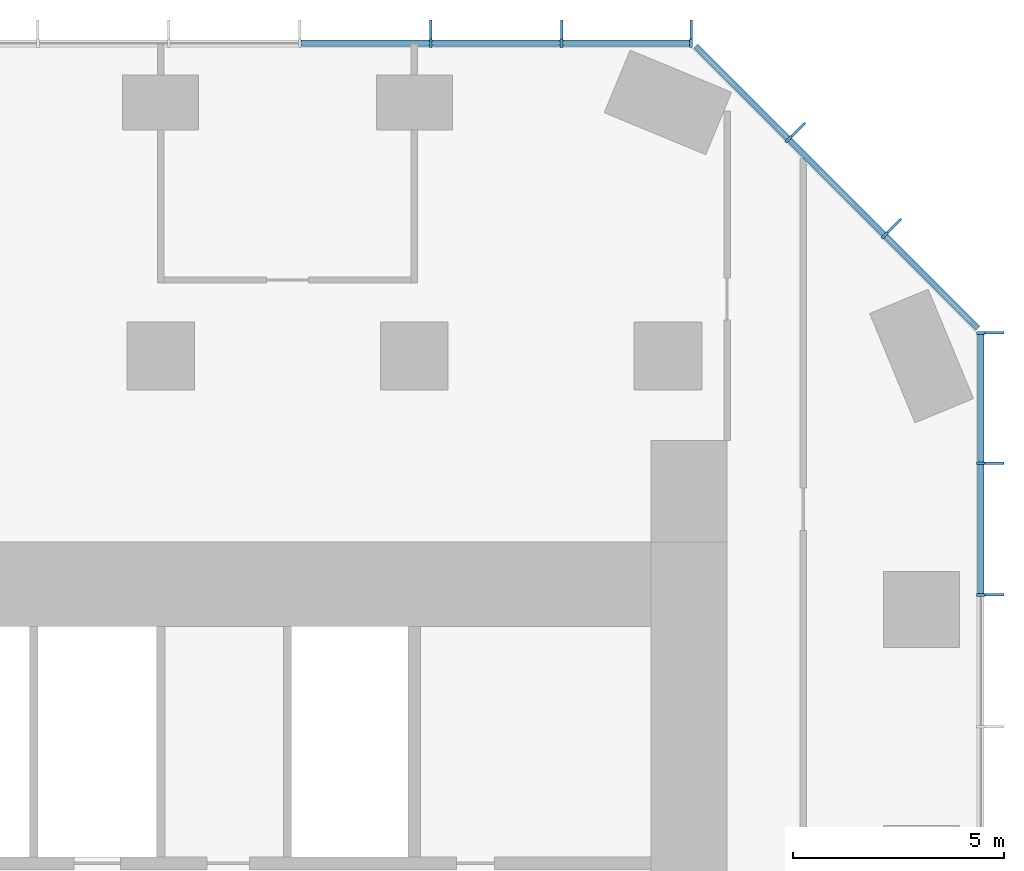
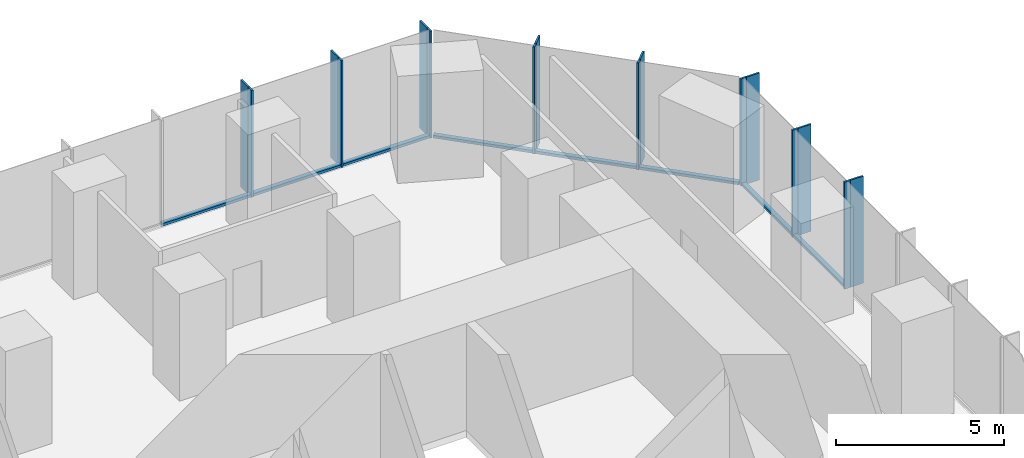
# One storey, part 6 of 11: 24 members, 3 elements without a shape of their own.
"""IFC4 building model written with IfcOpenShell, lengths in metres."""

from ifc_helpers import new_model, si_unit, direction, frame, origin, origin_2d, place, context, subcontext, project, spatial, rectangle, extrude, material, layer, layer_set, material_profile, profile_set, type_object, element, aggregate, save


model = new_model("IFC4")

# Units and contexts
model_context = context("Model", 3, precision=1e-05, world=origin(), true_north=direction((0.0, 1.0)))
body_context = subcontext(model_context, "Body", "Model", "MODEL_VIEW")
ifc_project = project(units=[si_unit("LENGTHUNIT", "METRE"), si_unit("AREAUNIT", "SQUARE_METRE"), si_unit("VOLUMEUNIT", "CUBIC_METRE"), si_unit("PLANEANGLEUNIT", "RADIAN"), si_unit("MASSUNIT", "GRAM", prefix="KILO")], contexts=[model_context])

# Site, building, storey
site_placement = place(None, origin())
site = spatial("IfcSite", under=ifc_project, at=site_placement, CompositionType="ELEMENT")
building_placement = place(site_placement, origin())
building = spatial("IfcBuilding", under=site, at=building_placement, Name="Highveld Stack Headquarters", CompositionType="ELEMENT")
storey_placement = place(building_placement, frame((0.0, 0.0, 125.0)))
storey = spatial("IfcBuildingStorey", under=building, at=storey_placement, Name="L30", CompositionType="ELEMENT", Elevation=125.0)

# Curtain wall, members
ifc_material_1 = material(Name="Aluminium bronze anodised", Category="aluminium")
ifc_layer_1 = layer(ifc_material_1, 0.199951171875)
ifc_layer_set_1 = layer_set([ifc_layer_1], Name="Aluminium bronze anodised")
curtain_wall_type_1 = type_object("IfcCurtainWallType", Name="CW1 TOWER UNITISED CURTAIN WALL", PredefinedType="NOTDEFINED", material=ifc_layer_set_1)
curtain_wall_1_placement = place(storey_placement, origin())
curtain_wall_1 = element("IfcCurtainWall", 1, at=curtain_wall_1_placement, inside=storey, type_object=curtain_wall_type_1, Name="Curtain wall CW1 L30 E", PredefinedType="NOTDEFINED")
ifc_material_2 = material(Name="Aluminium bronze anodised", Category="aluminium")
ifc_material_profile_1 = material_profile(ifc_material_2, rectangle(XDim=0.449951171875, YDim=0.06005859375, at=origin_2d()), Name="FIN 450x60")
ifc_profile_set_1 = profile_set([ifc_material_profile_1], Name="Aluminium bronze anodised")
member_type_1 = type_object("IfcMemberType", Name="CW1 BRONZE FIN 450x60", PredefinedType="USERDEFINED", material=ifc_profile_set_1)
member_1_placement = place(storey_placement, frame((25.72509765625, 12.347900390625, 0.0), z_axis=(0.0, 0.0, 1.0), x_axis=(-1.0, 0.0, 0.0)))
member_1 = element("IfcMember", 2, at=member_1_placement, type_object=member_type_1, Name="CW1 fin L30 9", ObjectType="FIN", PredefinedType="USERDEFINED", context=body_context, shape_type="SweptSolid", body=[
    extrude(rectangle(XDim=0.449951171875, YDim=0.06005859375, at=origin_2d()), origin(), (0.0, 0.0, 1.0), 3.89990234375),
])
member_2_placement = place(storey_placement, frame((25.72509765625, 15.4638671875, 0.0), z_axis=(0.0, 0.0, 1.0), x_axis=(-1.0, 0.0, 0.0)))
member_2 = element("IfcMember", 3, at=member_2_placement, type_object=member_type_1, Name="CW1 fin L30 10", ObjectType="FIN", PredefinedType="USERDEFINED", context=body_context, shape_type="SweptSolid", body=[
    extrude(rectangle(XDim=0.449951171875, YDim=0.06005859375, at=origin_2d()), origin(), (0.0, 0.0, 1.0), 3.89990234375),
])
member_3_placement = place(storey_placement, frame((25.72509765625, 18.54736328125, 0.0), z_axis=(0.0, 0.0, 1.0), x_axis=(-1.0, 0.0, 0.0)))
member_3 = element("IfcMember", 4, at=member_3_placement, type_object=member_type_1, Name="CW1 fin L30 11", ObjectType="FIN", PredefinedType="USERDEFINED", context=body_context, shape_type="SweptSolid", body=[
    extrude(rectangle(XDim=0.449951171875, YDim=0.06005859375, at=origin_2d()), origin(), (0.0, 0.0, 1.0), 3.89990234375),
])

curtain_wall_2_placement = place(storey_placement, origin())
curtain_wall_2 = element("IfcCurtainWall", 5, at=curtain_wall_2_placement, inside=storey, type_object=curtain_wall_type_1, Name="Curtain wall CW1 L30 N", PredefinedType="NOTDEFINED")
member_4_placement = place(storey_placement, frame((18.54736328125, 25.72509765625, 0.0), z_axis=(0.0, 0.0, 1.0), x_axis=(0.0, -1.0, 0.0)))
member_4 = element("IfcMember", 6, at=member_4_placement, type_object=member_type_1, Name="CW1 fin L30 1", ObjectType="FIN", PredefinedType="USERDEFINED", context=body_context, shape_type="SweptSolid", body=[
    extrude(rectangle(XDim=0.449951171875, YDim=0.06005859375, at=origin_2d()), origin(), (0.0, 0.0, 1.0), 3.89990234375),
])
member_5_placement = place(storey_placement, frame((15.483154296875, 25.72509765625, 0.0), z_axis=(0.0, 0.0, 1.0), x_axis=(0.0, -1.0, 0.0)))
member_5 = element("IfcMember", 7, at=member_5_placement, type_object=member_type_1, Name="CW1 fin L30 2", ObjectType="FIN", PredefinedType="USERDEFINED", context=body_context, shape_type="SweptSolid", body=[
    extrude(rectangle(XDim=0.449951171875, YDim=0.06005859375, at=origin_2d()), origin(), (0.0, 0.0, 1.0), 3.89990234375),
])
member_6_placement = place(storey_placement, frame((12.38671875, 25.72509765625, 0.0), z_axis=(0.0, 0.0, 1.0), x_axis=(0.0, -1.0, 0.0)))
member_6 = element("IfcMember", 8, at=member_6_placement, type_object=member_type_1, Name="CW1 fin L30 3", ObjectType="FIN", PredefinedType="USERDEFINED", context=body_context, shape_type="SweptSolid", body=[
    extrude(rectangle(XDim=0.449951171875, YDim=0.06005859375, at=origin_2d()), origin(), (0.0, 0.0, 1.0), 3.89990234375),
])

# Member
ifc_material_3 = material(Name="Aluminium bronze anodised", Category="aluminium")
ifc_material_profile_2 = material_profile(ifc_material_3, rectangle(XDim=0.199951171875, YDim=0.06494140625, at=origin_2d()), Name="CW1 MULLION 65x200")
ifc_profile_set_2 = profile_set([ifc_material_profile_2], Name="Aluminium bronze anodised")
member_type_2 = type_object("IfcMemberType", Name="CW1 MULLION 65x200", PredefinedType="MULLION", material=ifc_profile_set_2)
member_7_placement = place(storey_placement, frame((25.39990234375, 12.347900390625, 0.0), z_axis=(0.0, 0.0, 1.0), x_axis=(-1.0, 0.0, 0.0)))
member_7 = element("IfcMember", 9, at=member_7_placement, type_object=member_type_2, Name="CW1 mullion L30 9", PredefinedType="MULLION", context=body_context, shape_type="SweptSolid", body=[
    extrude(rectangle(XDim=0.199951171875, YDim=0.06494140625, at=origin_2d()), origin(), (0.0, 0.0, 1.0), 3.89990234375),
])

member_8_placement = place(storey_placement, frame((25.39990234375, 15.4638671875, 0.0), z_axis=(0.0, 0.0, 1.0), x_axis=(-1.0, 0.0, 0.0)))
member_8 = element("IfcMember", 10, at=member_8_placement, type_object=member_type_2, Name="CW1 mullion L30 10", PredefinedType="MULLION", context=body_context, shape_type="SweptSolid", body=[
    extrude(rectangle(XDim=0.199951171875, YDim=0.06494140625, at=origin_2d()), origin(), (0.0, 0.0, 1.0), 3.89990234375),
])

member_9_placement = place(storey_placement, frame((25.39990234375, 18.54736328125, 0.0), z_axis=(0.0, 0.0, 1.0), x_axis=(-1.0, 0.0, 0.0)))
member_9 = element("IfcMember", 11, at=member_9_placement, type_object=member_type_2, Name="CW1 mullion L30 11", PredefinedType="MULLION", context=body_context, shape_type="SweptSolid", body=[
    extrude(rectangle(XDim=0.199951171875, YDim=0.06494140625, at=origin_2d()), origin(), (0.0, 0.0, 1.0), 3.89990234375),
])

member_10_placement = place(storey_placement, frame((18.54736328125, 25.39990234375, 0.0), z_axis=(0.0, 0.0, 1.0), x_axis=(0.0, -1.0, 0.0)))
member_10 = element("IfcMember", 12, at=member_10_placement, type_object=member_type_2, Name="CW1 mullion L30 1", PredefinedType="MULLION", context=body_context, shape_type="SweptSolid", body=[
    extrude(rectangle(XDim=0.199951171875, YDim=0.06494140625, at=origin_2d()), origin(), (0.0, 0.0, 1.0), 3.89990234375),
])

member_11_placement = place(storey_placement, frame((15.483154296875, 25.39990234375, 0.0), z_axis=(0.0, 0.0, 1.0), x_axis=(0.0, -1.0, 0.0)))
member_11 = element("IfcMember", 13, at=member_11_placement, type_object=member_type_2, Name="CW1 mullion L30 2", PredefinedType="MULLION", context=body_context, shape_type="SweptSolid", body=[
    extrude(rectangle(XDim=0.199951171875, YDim=0.06494140625, at=origin_2d()), origin(), (0.0, 0.0, 1.0), 3.89990234375),
])

member_12_placement = place(storey_placement, frame((12.38671875, 25.39990234375, 0.0), z_axis=(0.0, 0.0, 1.0), x_axis=(0.0, -1.0, 0.0)))
member_12 = element("IfcMember", 14, at=member_12_placement, type_object=member_type_2, Name="CW1 mullion L30 3", PredefinedType="MULLION", context=body_context, shape_type="SweptSolid", body=[
    extrude(rectangle(XDim=0.199951171875, YDim=0.06494140625, at=origin_2d()), origin(), (0.0, 0.0, 1.0), 3.89990234375),
])

ifc_material_4 = material(Name="Aluminium bronze anodised", Category="aluminium")
ifc_material_profile_3 = material_profile(ifc_material_4, rectangle(XDim=0.14990234375, YDim=0.10009765625, at=origin_2d()), Name="CW1 TRANSOM 150x100")
ifc_profile_set_3 = profile_set([ifc_material_profile_3], Name="Aluminium bronze anodised")
member_type_3 = type_object("IfcMemberType", Name="CW1 STACK TRANSOM 150x100", PredefinedType="USERDEFINED", material=ifc_profile_set_3)
member_13_placement = place(storey_placement, frame((25.39990234375, 12.38037109375, 0.050048828125), z_axis=(0.0, 1.0, 0.0), x_axis=(-1.0, 0.0, 0.0)))
member_13 = element("IfcMember", 15, at=member_13_placement, type_object=member_type_3, Name="CW1 transom L30 9.1", ObjectType="TRANSOM", PredefinedType="USERDEFINED", context=body_context, shape_type="SweptSolid", body=[
    extrude(rectangle(XDim=0.14990234375, YDim=0.10009765625, at=origin_2d()), origin(), (0.0, 0.0, 1.0), 3.051025390625),
])

member_14_placement = place(storey_placement, frame((25.39990234375, 15.496337890625, 0.050048828125), z_axis=(0.0, 1.0, 0.0), x_axis=(-1.0, 0.0, 0.0)))
member_14 = element("IfcMember", 16, at=member_14_placement, type_object=member_type_3, Name="CW1 transom L30 10.1", ObjectType="TRANSOM", PredefinedType="USERDEFINED", context=body_context, shape_type="SweptSolid", body=[
    extrude(rectangle(XDim=0.14990234375, YDim=0.10009765625, at=origin_2d()), origin(), (0.0, 0.0, 1.0), 3.0185546875),
])

aggregate(curtain_wall_1, [member_7, member_1, member_8, member_2, member_9, member_3, member_13, member_14])

member_15_placement = place(storey_placement, frame((18.514892578125, 25.39990234375, 0.050048828125), z_axis=(-1.0, 0.0, 0.0), x_axis=(0.0, -1.0, 0.0)))
member_15 = element("IfcMember", 17, at=member_15_placement, type_object=member_type_3, Name="CW1 transom L30 1.1", ObjectType="TRANSOM", PredefinedType="USERDEFINED", context=body_context, shape_type="SweptSolid", body=[
    extrude(rectangle(XDim=0.14990234375, YDim=0.10009765625, at=origin_2d()), origin(), (0.0, 0.0, 1.0), 2.999267578125),
])

member_16_placement = place(storey_placement, frame((15.45068359375, 25.39990234375, 0.050048828125), z_axis=(-1.0, 0.0, 0.0), x_axis=(0.0, -1.0, 0.0)))
member_16 = element("IfcMember", 18, at=member_16_placement, type_object=member_type_3, Name="CW1 transom L30 2.1", ObjectType="TRANSOM", PredefinedType="USERDEFINED", context=body_context, shape_type="SweptSolid", body=[
    extrude(rectangle(XDim=0.14990234375, YDim=0.10009765625, at=origin_2d()), origin(), (0.0, 0.0, 1.0), 3.031494140625),
])

member_17_placement = place(storey_placement, frame((12.35400390625, 25.39990234375, 0.050048828125), z_axis=(-1.0, 0.0, 0.0), x_axis=(0.0, -1.0, 0.0)))
member_17 = element("IfcMember", 19, at=member_17_placement, type_object=member_type_3, Name="CW1 transom L30 3.1", ObjectType="TRANSOM", PredefinedType="USERDEFINED", context=body_context, shape_type="SweptSolid", body=[
    extrude(rectangle(XDim=0.14990234375, YDim=0.10009765625, at=origin_2d()), origin(), (0.0, 0.0, 1.0), 3.031494140625),
])

aggregate(curtain_wall_2, [member_10, member_4, member_11, member_5, member_12, member_6, member_15, member_16, member_17])

# Curtain wall, members
ifc_material_5 = material(Name="Aluminium bronze anodised", Category="aluminium")
ifc_layer_2 = layer(ifc_material_5, 0.199951171875)
ifc_layer_set_2 = layer_set([ifc_layer_2], Name="Aluminium bronze anodised")
curtain_wall_type_2 = type_object("IfcCurtainWallType", Name="CW2 TOWER CHAMFER UNITISED CURTAIN WALL", PredefinedType="NOTDEFINED", material=ifc_layer_set_2)
curtain_wall_3_placement = place(storey_placement, origin())
curtain_wall_3 = element("IfcCurtainWall", 20, at=curtain_wall_3_placement, inside=storey, type_object=curtain_wall_type_2, Name="Curtain wall CW2 L30 NE", PredefinedType="NOTDEFINED")
ifc_material_6 = material(Name="Aluminium bronze anodised", Category="aluminium")
ifc_material_profile_4 = material_profile(ifc_material_6, rectangle(XDim=0.449951171875, YDim=0.06005859375, at=origin_2d()), Name="FIN 450x60")
ifc_profile_set_4 = profile_set([ifc_material_profile_4], Name="Aluminium bronze anodised")
member_type_4 = type_object("IfcMemberType", Name="CW2 BRONZE FIN 450x60", PredefinedType="USERDEFINED", material=ifc_profile_set_4)
member_18_placement = place(storey_placement, frame((23.3564453125, 21.0830078125, 0.0), z_axis=(0.0, 0.0, 1.0), x_axis=(-0.707106781187, -0.707106781187, 0.0)))
member_18 = element("IfcMember", 21, at=member_18_placement, type_object=member_type_4, Name="CW2 fin L30 1", ObjectType="FIN", PredefinedType="USERDEFINED", context=body_context, shape_type="SweptSolid", body=[
    extrude(rectangle(XDim=0.449951171875, YDim=0.06005859375, at=origin_2d()), origin(), (0.0, 0.0, 1.0), 3.89990234375),
])
member_19_placement = place(storey_placement, frame((21.0830078125, 23.3564453125, 0.0), z_axis=(0.0, 0.0, 1.0), x_axis=(-0.707106781187, -0.707106781187, 0.0)))
member_19 = element("IfcMember", 22, at=member_19_placement, type_object=member_type_4, Name="CW2 fin L30 2", ObjectType="FIN", PredefinedType="USERDEFINED", context=body_context, shape_type="SweptSolid", body=[
    extrude(rectangle(XDim=0.449951171875, YDim=0.06005859375, at=origin_2d()), origin(), (0.0, 0.0, 1.0), 3.89990234375),
])
ifc_material_7 = material(Name="Aluminium bronze anodised", Category="aluminium")
ifc_material_profile_5 = material_profile(ifc_material_7, rectangle(XDim=0.199951171875, YDim=0.06494140625, at=origin_2d()), Name="CW2 MULLION 65x200")
ifc_profile_set_5 = profile_set([ifc_material_profile_5], Name="Aluminium bronze anodised")
member_type_5 = type_object("IfcMemberType", Name="CW2 MULLION 65x200", PredefinedType="MULLION", material=ifc_profile_set_5)
member_20_placement = place(storey_placement, frame((23.126708984375, 20.853271484375, 0.0), z_axis=(0.0, 0.0, 1.0), x_axis=(-0.707106781187, -0.707106781187, 0.0)))
member_20 = element("IfcMember", 23, at=member_20_placement, type_object=member_type_5, Name="CW2 mullion L30 1", PredefinedType="MULLION", context=body_context, shape_type="SweptSolid", body=[
    extrude(rectangle(XDim=0.199951171875, YDim=0.06494140625, at=origin_2d()), origin(), (0.0, 0.0, 1.0), 3.89990234375),
])
member_21_placement = place(storey_placement, frame((20.853271484375, 23.126708984375, 0.0), z_axis=(0.0, 0.0, 1.0), x_axis=(-0.707106781187, -0.707106781187, 0.0)))
member_21 = element("IfcMember", 24, at=member_21_placement, type_object=member_type_5, Name="CW2 mullion L30 2", PredefinedType="MULLION", context=body_context, shape_type="SweptSolid", body=[
    extrude(rectangle(XDim=0.199951171875, YDim=0.06494140625, at=origin_2d()), origin(), (0.0, 0.0, 1.0), 3.89990234375),
])
ifc_material_8 = material(Name="Aluminium bronze anodised", Category="aluminium")
ifc_material_profile_6 = material_profile(ifc_material_8, rectangle(XDim=0.14990234375, YDim=0.10009765625, at=origin_2d()), Name="CW2 TRANSOM 150x100")
ifc_profile_set_6 = profile_set([ifc_material_profile_6], Name="Aluminium bronze anodised")
member_type_6 = type_object("IfcMemberType", Name="CW2 STACK TRANSOM 150x100", PredefinedType="USERDEFINED", material=ifc_profile_set_6)
member_22_placement = place(storey_placement, frame((25.329345703125, 18.650634765625, 0.050048828125), z_axis=(-0.707106781187, 0.707106781187, 0.0), x_axis=(-0.707106781187, -0.707106781187, 0.0)))
member_22 = element("IfcMember", 25, at=member_22_placement, type_object=member_type_6, Name="CW2 transom L30 1.1", ObjectType="TRANSOM", PredefinedType="USERDEFINED", context=body_context, shape_type="SweptSolid", body=[
    extrude(rectangle(XDim=0.14990234375, YDim=0.10009765625, at=origin_2d()), origin(), (0.0, 0.0, 1.0), 3.08251953125),
])
member_23_placement = place(storey_placement, frame((23.103759765625, 20.876220703125, 0.050048828125), z_axis=(-0.707106781187, 0.707106781187, 0.0), x_axis=(-0.707106781187, -0.707106781187, 0.0)))
member_23 = element("IfcMember", 26, at=member_23_placement, type_object=member_type_6, Name="CW2 transom L30 2.1", ObjectType="TRANSOM", PredefinedType="USERDEFINED", context=body_context, shape_type="SweptSolid", body=[
    extrude(rectangle(XDim=0.14990234375, YDim=0.10009765625, at=origin_2d()), origin(), (0.0, 0.0, 1.0), 3.150146484375),
])
member_24_placement = place(storey_placement, frame((20.830322265625, 23.149658203125, 0.050048828125), z_axis=(-0.707106781187, 0.707106781187, 0.0), x_axis=(-0.707106781187, -0.707106781187, 0.0)))
member_24 = element("IfcMember", 27, at=member_24_placement, type_object=member_type_6, Name="CW2 transom L30 3.1", ObjectType="TRANSOM", PredefinedType="USERDEFINED", context=body_context, shape_type="SweptSolid", body=[
    extrude(rectangle(XDim=0.14990234375, YDim=0.10009765625, at=origin_2d()), origin(), (0.0, 0.0, 1.0), 3.08251953125),
])
aggregate(curtain_wall_3, [member_20, member_18, member_21, member_19, member_22, member_23, member_24])

save(model, "model.ifc")
